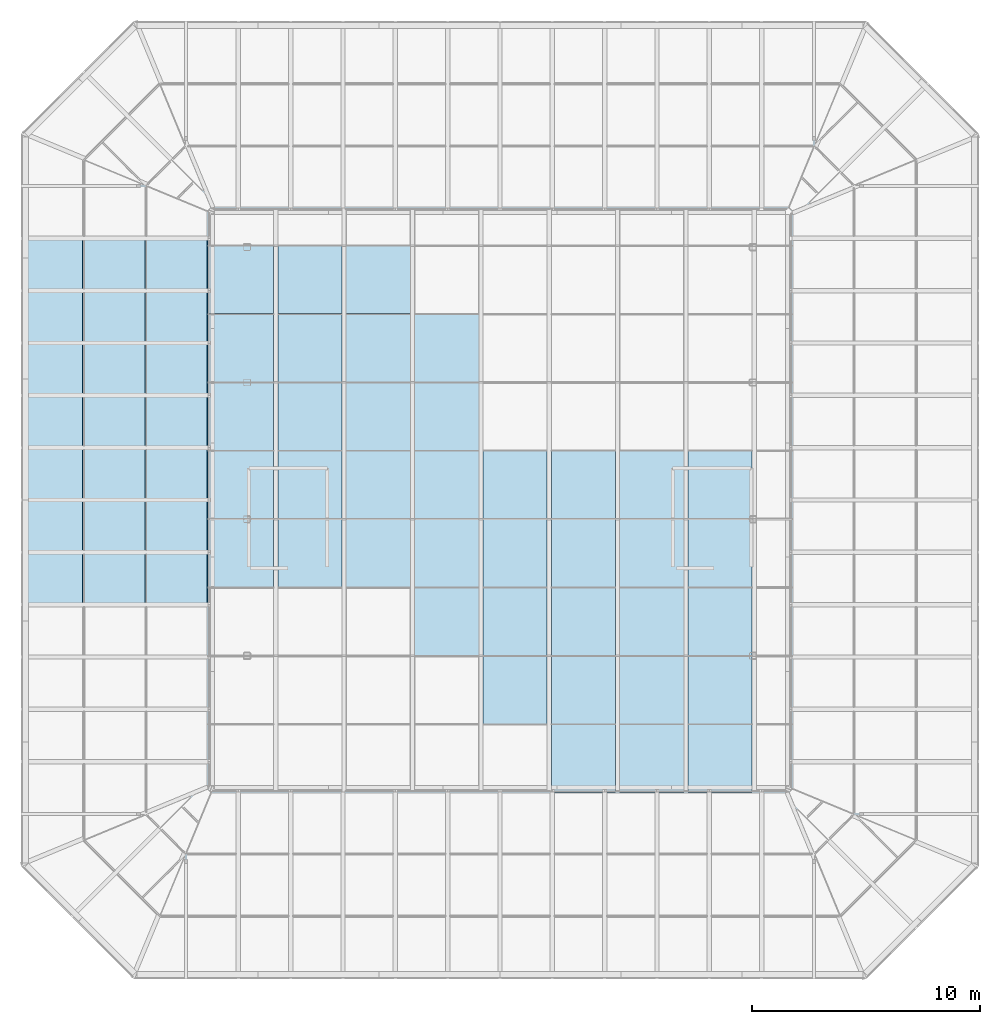
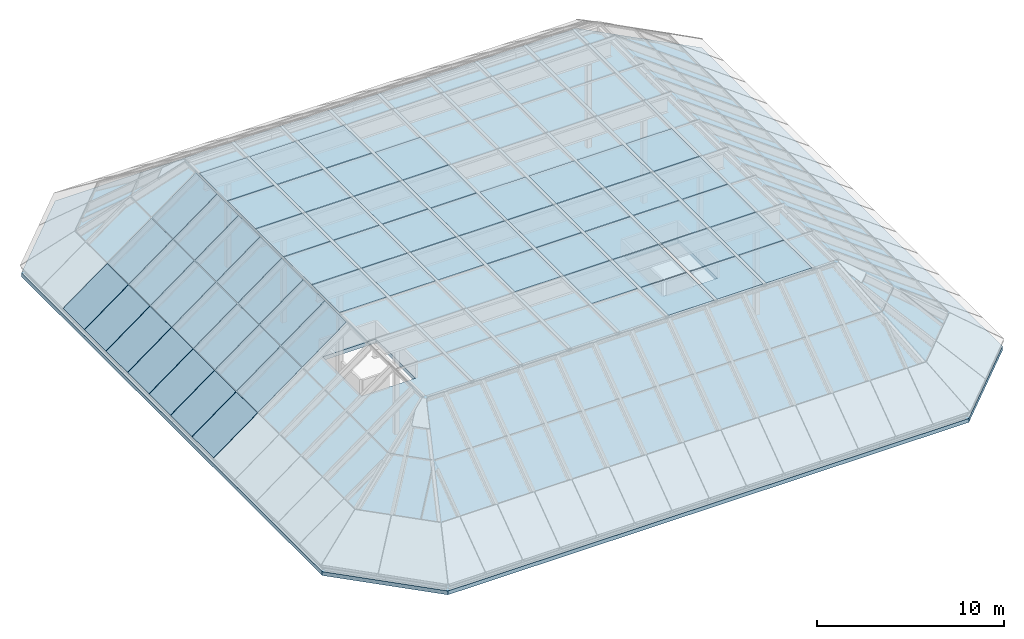
# One storey, part 12 of 15: 60 plates, 1 slab, 2 elements without a shape of their own.
"""IFC4 building model written with IfcOpenShell, lengths in metres."""

from ifc_helpers import new_model, si_unit, direction, frame, origin, place, context, subcontext, project, spatial, polyline, outline, extrude, material, layer, layer_set, constituent, constituent_set, type_object, element, aggregate, save


model = new_model("IFC4")

# Units and contexts
model_context = context("Model", 3, precision=1e-05, world=origin(), true_north=direction((0.0, 1.0)))
body_context = subcontext(model_context, "Body", "Model", "MODEL_VIEW")
ifc_project = project(units=[si_unit("LENGTHUNIT", "METRE"), si_unit("AREAUNIT", "SQUARE_METRE"), si_unit("VOLUMEUNIT", "CUBIC_METRE"), si_unit("PLANEANGLEUNIT", "RADIAN"), si_unit("MASSUNIT", "GRAM", prefix="KILO")], contexts=[model_context])

# Site, building, storey
site_placement = place(None, origin())
site = spatial("IfcSite", under=ifc_project, at=site_placement, CompositionType="ELEMENT")
building_placement = place(site_placement, origin())
building = spatial("IfcBuilding", under=site, at=building_placement, Name="Quoin Convention Tower", CompositionType="ELEMENT")
storey_placement = place(building_placement, frame((0.0, 0.0, 273.699951171875)))
storey = spatial("IfcBuildingStorey", under=building, at=storey_placement, Name="Roof", CompositionType="ELEMENT", Elevation=273.699951171875)

# Curtain wall, plates
ifc_material_1 = material(Name="Aluminium", Category="aluminium")
ifc_constituent_1 = constituent(ifc_material_1, Name="Frame")
ifc_material_2 = material(Name="Insulated glass", Category="glass")
ifc_constituent_2 = constituent(ifc_material_2, Name="Glazing")
ifc_constituent_set = constituent_set(constituents=[ifc_constituent_1, ifc_constituent_2], Name="Aluminium")
curtain_wall_type = type_object("IfcCurtainWallType", Name="Lantern roof system", PredefinedType="NOTDEFINED", material=ifc_constituent_set)
curtain_wall_1_placement = place(storey_placement, origin())
curtain_wall_1 = element("IfcCurtainWall", 1, at=curtain_wall_1_placement, inside=storey, type_object=curtain_wall_type, Name="crn-LNR-F35210_76827", PredefinedType="NOTDEFINED")
ifc_layer_1 = layer(ifc_material_2, 0.028076171875)
ifc_layer_set_1 = layer_set([ifc_layer_1], Name="Insulated glass")
plate_type = type_object("IfcPlateType", Name="Lantern roof glazing unit 28", PredefinedType="CURTAIN_PANEL", material=ifc_layer_set_1)
plate_1_placement = place(storey_placement, frame((37.93115234375, 72.21875, 2.466552734375), z_axis=(-0.590508839017, 0.0, 0.807031171048), x_axis=(0.0, -1.0, 0.0)))
plate_1 = element("IfcPlate", 2, at=plate_1_placement, type_object=plate_type, Name="CW6 glazing unit", PredefinedType="CURTAIN_PANEL", context=body_context, shape_type="SweptSolid", body=[
    extrude(outline(polyline([(0.0, 0.0), (2.266845703125, 0.0), (2.266845703125, -3.3567283051575907), (0.0, -3.3567283051575907), (0.0, 0.0)])), origin(), (0.0, 0.0, -1.0), 0.028076171875),
])
plate_2_placement = place(storey_placement, frame((37.93115234375, 69.922119140625, 2.466552734375), z_axis=(-0.590508839017, 0.0, 0.807031171048), x_axis=(0.0, -1.0, 0.0)))
plate_2 = element("IfcPlate", 3, at=plate_2_placement, type_object=plate_type, Name="CW6 glazing unit", PredefinedType="CURTAIN_PANEL", context=body_context, shape_type="SweptSolid", body=[
    extrude(outline(polyline([(0.0, 0.0), (2.266845703125, 0.0), (2.266845703125, -3.3567283051575907), (0.0, -3.3567283051575907), (0.0, 0.0)])), origin(), (0.0, 0.0, -1.0), 0.028076171875),
])
plate_3_placement = place(storey_placement, frame((37.93115234375, 67.625244140625, 2.466552734375), z_axis=(-0.590508839017, 0.0, 0.807031171048), x_axis=(0.0, -1.0, 0.0)))
plate_3 = element("IfcPlate", 4, at=plate_3_placement, type_object=plate_type, Name="CW6 glazing unit", PredefinedType="CURTAIN_PANEL", context=body_context, shape_type="SweptSolid", body=[
    extrude(outline(polyline([(0.0, 0.0), (2.266845703125, 0.0), (2.266845703125, -3.3567283051575907), (0.0, -3.3567283051575907), (0.0, 0.0)])), origin(), (0.0, 0.0, -1.0), 0.028076171875),
])
plate_4_placement = place(storey_placement, frame((37.93115234375, 65.32861328125, 2.466552734375), z_axis=(-0.590508839017, 0.0, 0.807031171048), x_axis=(0.0, -1.0, 0.0)))
plate_4 = element("IfcPlate", 5, at=plate_4_placement, type_object=plate_type, Name="CW6 glazing unit", PredefinedType="CURTAIN_PANEL", context=body_context, shape_type="SweptSolid", body=[
    extrude(outline(polyline([(0.0, 0.0), (2.266845703125, 0.0), (2.266845703125, -3.3567283051575907), (0.0, -3.3567283051575907), (0.0, 0.0)])), origin(), (0.0, 0.0, -1.0), 0.028076171875),
])
plate_5_placement = place(storey_placement, frame((37.93115234375, 63.03173828125, 2.466552734375), z_axis=(-0.590508839017, 0.0, 0.807031171048), x_axis=(0.0, -1.0, 0.0)))
plate_5 = element("IfcPlate", 6, at=plate_5_placement, type_object=plate_type, Name="CW6 glazing unit", PredefinedType="CURTAIN_PANEL", context=body_context, shape_type="SweptSolid", body=[
    extrude(outline(polyline([(0.0, 0.0), (2.266845703125, 0.0), (2.266845703125, -3.3567283051575907), (0.0, -3.3567283051575907), (0.0, 0.0)])), origin(), (0.0, 0.0, -1.0), 0.028076171875),
])
plate_6_placement = place(storey_placement, frame((37.93115234375, 60.735107421875, 2.466552734375), z_axis=(-0.590508839017, 0.0, 0.807031171048), x_axis=(0.0, -1.0, 0.0)))
plate_6 = element("IfcPlate", 7, at=plate_6_placement, type_object=plate_type, Name="CW6 glazing unit", PredefinedType="CURTAIN_PANEL", context=body_context, shape_type="SweptSolid", body=[
    extrude(outline(polyline([(0.0, 0.0), (2.266845703125, 0.0), (2.266845703125, -3.3567283051575907), (0.0, -3.3567283051575907), (0.0, 0.0)])), origin(), (0.0, 0.0, -1.0), 0.028076171875),
])
plate_7_placement = place(storey_placement, frame((37.93115234375, 58.438232421875, 2.466552734375), z_axis=(-0.590508839017, 0.0, 0.807031171048), x_axis=(0.0, -1.0, 0.0)))
plate_7 = element("IfcPlate", 8, at=plate_7_placement, type_object=plate_type, Name="CW6 glazing unit", PredefinedType="CURTAIN_PANEL", context=body_context, shape_type="SweptSolid", body=[
    extrude(outline(polyline([(0.0, 0.0), (2.266845703125, 0.0), (2.266845703125, -3.3567283051575907), (0.0, -3.3567283051575907), (0.0, 0.0)])), origin(), (0.0, 0.0, -1.0), 0.028076171875),
])
plate_8_placement = place(storey_placement, frame((37.955322265625, 72.21875, 2.484375), z_axis=(-0.590474179548, 0.0, 0.807056530416), x_axis=(0.807056530416, 0.0, 0.590474179548)))
plate_8 = element("IfcPlate", 9, at=plate_8_placement, type_object=plate_type, Name="CW6 glazing unit", PredefinedType="CURTAIN_PANEL", context=body_context, shape_type="SweptSolid", body=[
    extrude(outline(polyline([(0.0, 0.0), (3.356925337347801, 0.0), (3.356925337347801, -2.266845703125), (0.0, -2.266845703125), (0.0, 0.0)])), origin(), (0.0, 0.0, -1.0), 0.028076171875),
])
plate_9_placement = place(storey_placement, frame((37.955322265625, 69.922119140625, 2.484375), z_axis=(-0.590474179548, 0.0, 0.807056530416), x_axis=(0.807056530416, 0.0, 0.590474179548)))
plate_9 = element("IfcPlate", 10, at=plate_9_placement, type_object=plate_type, Name="CW6 glazing unit", PredefinedType="CURTAIN_PANEL", context=body_context, shape_type="SweptSolid", body=[
    extrude(outline(polyline([(0.0, 0.0), (3.356925337347801, 0.0), (3.356925337347801, -2.266845703125), (0.0, -2.266845703125), (0.0, 0.0)])), origin(), (0.0, 0.0, -1.0), 0.028076171875),
])
plate_10_placement = place(storey_placement, frame((37.955322265625, 67.625244140625, 2.484375), z_axis=(-0.590474179548, 0.0, 0.807056530416), x_axis=(0.807056530416, 0.0, 0.590474179548)))
plate_10 = element("IfcPlate", 11, at=plate_10_placement, type_object=plate_type, Name="CW6 glazing unit", PredefinedType="CURTAIN_PANEL", context=body_context, shape_type="SweptSolid", body=[
    extrude(outline(polyline([(0.0, 0.0), (3.356925337347801, 0.0), (3.356925337347801, -2.266845703125), (0.0, -2.266845703125), (0.0, 0.0)])), origin(), (0.0, 0.0, -1.0), 0.028076171875),
])
plate_11_placement = place(storey_placement, frame((37.955322265625, 65.32861328125, 2.484375), z_axis=(-0.590474179548, 0.0, 0.807056530416), x_axis=(0.807056530416, 0.0, 0.590474179548)))
plate_11 = element("IfcPlate", 12, at=plate_11_placement, type_object=plate_type, Name="CW6 glazing unit", PredefinedType="CURTAIN_PANEL", context=body_context, shape_type="SweptSolid", body=[
    extrude(outline(polyline([(0.0, 0.0), (3.356925337347801, 0.0), (3.356925337347801, -2.266845703125), (0.0, -2.266845703125), (0.0, 0.0)])), origin(), (0.0, 0.0, -1.0), 0.028076171875),
])
plate_12_placement = place(storey_placement, frame((37.955322265625, 63.03173828125, 2.484375), z_axis=(-0.590474179548, 0.0, 0.807056530416), x_axis=(0.807056530416, 0.0, 0.590474179548)))
plate_12 = element("IfcPlate", 13, at=plate_12_placement, type_object=plate_type, Name="CW6 glazing unit", PredefinedType="CURTAIN_PANEL", context=body_context, shape_type="SweptSolid", body=[
    extrude(outline(polyline([(0.0, 0.0), (3.356925337347801, 0.0), (3.356925337347801, -2.266845703125), (0.0, -2.266845703125), (0.0, 0.0)])), origin(), (0.0, 0.0, -1.0), 0.028076171875),
])
plate_13_placement = place(storey_placement, frame((37.955322265625, 60.735107421875, 2.484375), z_axis=(-0.590474179548, 0.0, 0.807056530416), x_axis=(0.807056530416, 0.0, 0.590474179548)))
plate_13 = element("IfcPlate", 14, at=plate_13_placement, type_object=plate_type, Name="CW6 glazing unit", PredefinedType="CURTAIN_PANEL", context=body_context, shape_type="SweptSolid", body=[
    extrude(outline(polyline([(0.0, 0.0), (3.356925337347801, 0.0), (3.356925337347801, -2.266845703125), (0.0, -2.266845703125), (0.0, 0.0)])), origin(), (0.0, 0.0, -1.0), 0.028076171875),
])
plate_14_placement = place(storey_placement, frame((37.955322265625, 58.438232421875, 2.484375), z_axis=(-0.590474179548, 0.0, 0.807056530416), x_axis=(0.807056530416, 0.0, 0.590474179548)))
plate_14 = element("IfcPlate", 15, at=plate_14_placement, type_object=plate_type, Name="CW6 glazing unit", PredefinedType="CURTAIN_PANEL", context=body_context, shape_type="SweptSolid", body=[
    extrude(outline(polyline([(0.0, 0.0), (3.356925337347801, 0.0), (3.356925337347801, -2.266845703125), (0.0, -2.266845703125), (0.0, 0.0)])), origin(), (0.0, 0.0, -1.0), 0.028076171875),
])
plate_15_placement = place(storey_placement, frame((40.688720703125, 69.951904296875, 4.484375), z_axis=(-0.590474179548, 0.0, 0.807056530416), x_axis=(0.0, 1.0, 0.0)))
plate_15 = element("IfcPlate", 16, at=plate_15_placement, type_object=plate_type, Name="CW6 glazing unit", PredefinedType="CURTAIN_PANEL", context=body_context, shape_type="SweptSolid", body=[
    extrude(outline(polyline([(0.0, 0.0), (2.266845703125, 0.0), (2.266845703125, -3.356925337347801), (0.0, -3.356925337347801), (0.0, 0.0)])), origin(), (0.0, 0.0, -1.0), 0.028076171875),
])
plate_16_placement = place(storey_placement, frame((40.688720703125, 67.6552734375, 4.484375), z_axis=(-0.590474179548, 0.0, 0.807056530416), x_axis=(0.0, 1.0, 0.0)))
plate_16 = element("IfcPlate", 17, at=plate_16_placement, type_object=plate_type, Name="CW6 glazing unit", PredefinedType="CURTAIN_PANEL", context=body_context, shape_type="SweptSolid", body=[
    extrude(outline(polyline([(0.0, 0.0), (2.266845703125, 0.0), (2.266845703125, -3.356925337347801), (0.0, -3.356925337347801), (0.0, 0.0)])), origin(), (0.0, 0.0, -1.0), 0.028076171875),
])
plate_17_placement = place(storey_placement, frame((40.688720703125, 65.3583984375, 4.484375), z_axis=(-0.590474179548, 0.0, 0.807056530416), x_axis=(0.0, 1.0, 0.0)))
plate_17 = element("IfcPlate", 18, at=plate_17_placement, type_object=plate_type, Name="CW6 glazing unit", PredefinedType="CURTAIN_PANEL", context=body_context, shape_type="SweptSolid", body=[
    extrude(outline(polyline([(0.0, 0.0), (2.266845703125, 0.0), (2.266845703125, -3.356925337347801), (0.0, -3.356925337347801), (0.0, 0.0)])), origin(), (0.0, 0.0, -1.0), 0.028076171875),
])
plate_18_placement = place(storey_placement, frame((40.688720703125, 63.061767578125, 4.484375), z_axis=(-0.590474179548, 0.0, 0.807056530416), x_axis=(0.0, 1.0, 0.0)))
plate_18 = element("IfcPlate", 19, at=plate_18_placement, type_object=plate_type, Name="CW6 glazing unit", PredefinedType="CURTAIN_PANEL", context=body_context, shape_type="SweptSolid", body=[
    extrude(outline(polyline([(0.0, 0.0), (2.266845703125, 0.0), (2.266845703125, -3.356925337347801), (0.0, -3.356925337347801), (0.0, 0.0)])), origin(), (0.0, 0.0, -1.0), 0.028076171875),
])
plate_19_placement = place(storey_placement, frame((40.688720703125, 60.764892578125, 4.484375), z_axis=(-0.590474179548, 0.0, 0.807056530416), x_axis=(0.0, 1.0, 0.0)))
plate_19 = element("IfcPlate", 20, at=plate_19_placement, type_object=plate_type, Name="CW6 glazing unit", PredefinedType="CURTAIN_PANEL", context=body_context, shape_type="SweptSolid", body=[
    extrude(outline(polyline([(0.0, 0.0), (2.266845703125, 0.0), (2.266845703125, -3.356925337347801), (0.0, -3.356925337347801), (0.0, 0.0)])), origin(), (0.0, 0.0, -1.0), 0.028076171875),
])
plate_20_placement = place(storey_placement, frame((40.688720703125, 58.46826171875, 4.484375), z_axis=(-0.590474179548, 0.0, 0.807056530416), x_axis=(0.0, 1.0, 0.0)))
plate_20 = element("IfcPlate", 21, at=plate_20_placement, type_object=plate_type, Name="CW6 glazing unit", PredefinedType="CURTAIN_PANEL", context=body_context, shape_type="SweptSolid", body=[
    extrude(outline(polyline([(0.0, 0.0), (2.266845703125, 0.0), (2.266845703125, -3.356925337347801), (0.0, -3.356925337347801), (0.0, 0.0)])), origin(), (0.0, 0.0, -1.0), 0.028076171875),
])
plate_21_placement = place(storey_placement, frame((40.688720703125, 56.17138671875, 4.484375), z_axis=(-0.590474179548, 0.0, 0.807056530416), x_axis=(0.0, 1.0, 0.0)))
plate_21 = element("IfcPlate", 22, at=plate_21_placement, type_object=plate_type, Name="CW6 glazing unit", PredefinedType="CURTAIN_PANEL", context=body_context, shape_type="SweptSolid", body=[
    extrude(outline(polyline([(0.0, 0.0), (2.266845703125, 0.0), (2.266845703125, -3.356925337347801), (0.0, -3.356925337347801), (0.0, 0.0)])), origin(), (0.0, 0.0, -1.0), 0.028076171875),
])
aggregate(curtain_wall_1, [plate_1, plate_2, plate_3, plate_4, plate_5, plate_6, plate_7, plate_8, plate_9, plate_10, plate_11, plate_12, plate_13, plate_14, plate_15, plate_16, plate_17, plate_18, plate_19, plate_20, plate_21])

curtain_wall_2_placement = place(storey_placement, origin())
curtain_wall_2 = element("IfcCurtainWall", 23, at=curtain_wall_2_placement, inside=storey, type_object=curtain_wall_type, Name="crn-LNR-CAP", PredefinedType="NOTDEFINED")
plate_22_placement = place(storey_placement, frame((46.320068359375, 59.889892578125, 6.62353515625), z_axis=(0.0, 0.0, 1.0), x_axis=(0.0, -1.0, 0.0)))
plate_22 = element("IfcPlate", 24, at=plate_22_placement, type_object=plate_type, Name="CW6 glazing unit", PredefinedType="CURTAIN_PANEL", context=body_context, shape_type="SweptSolid", body=[
    extrude(outline(polyline([(0.0, 0.0), (2.9599609375, 0.0), (2.9599609375, -2.89013671875), (0.0, -2.89013671875), (0.0, 0.0)])), origin(), (0.0, 0.0, -1.0), 0.028076171875),
])
plate_23_placement = place(storey_placement, frame((46.320068359375, 62.889892578125, 6.62353515625), z_axis=(0.0, 0.0, 1.0), x_axis=(0.0, -1.0, 0.0)))
plate_23 = element("IfcPlate", 25, at=plate_23_placement, type_object=plate_type, Name="CW6 glazing unit", PredefinedType="CURTAIN_PANEL", context=body_context, shape_type="SweptSolid", body=[
    extrude(outline(polyline([(0.0, 0.0), (2.9599609375, 0.0), (2.9599609375, -2.89013671875), (0.0, -2.89013671875), (0.0, 0.0)])), origin(), (0.0, 0.0, -1.0), 0.028076171875),
])
plate_24_placement = place(storey_placement, frame((46.320068359375, 65.889892578125, 6.62353515625), z_axis=(0.0, 0.0, 1.0), x_axis=(0.0, -1.0, 0.0)))
plate_24 = element("IfcPlate", 26, at=plate_24_placement, type_object=plate_type, Name="CW6 glazing unit", PredefinedType="CURTAIN_PANEL", context=body_context, shape_type="SweptSolid", body=[
    extrude(outline(polyline([(0.0, 0.0), (2.9599609375, 0.0), (2.9599609375, -2.89013671875), (0.0, -2.89013671875), (0.0, 0.0)])), origin(), (0.0, 0.0, -1.0), 0.028076171875),
])
plate_25_placement = place(storey_placement, frame((46.320068359375, 68.889892578125, 6.62353515625), z_axis=(0.0, 0.0, 1.0), x_axis=(0.0, -1.0, 0.0)))
plate_25 = element("IfcPlate", 27, at=plate_25_placement, type_object=plate_type, Name="CW6 glazing unit", PredefinedType="CURTAIN_PANEL", context=body_context, shape_type="SweptSolid", body=[
    extrude(outline(polyline([(0.0, 0.0), (2.9599609375, 0.0), (2.9599609375, -2.89013671875), (0.0, -2.89013671875), (0.0, 0.0)])), origin(), (0.0, 0.0, -1.0), 0.028076171875),
])
plate_26_placement = place(storey_placement, frame((46.320068359375, 71.889892578125, 6.62353515625), z_axis=(0.0, 0.0, 1.0), x_axis=(0.0, -1.0, 0.0)))
plate_26 = element("IfcPlate", 28, at=plate_26_placement, type_object=plate_type, Name="CW6 glazing unit", PredefinedType="CURTAIN_PANEL", context=body_context, shape_type="SweptSolid", body=[
    extrude(outline(polyline([(0.0, 0.0), (2.9599609375, 0.0), (2.9599609375, -2.89013671875), (0.0, -2.89013671875), (0.0, 0.0)])), origin(), (0.0, 0.0, -1.0), 0.028076171875),
])
plate_27_placement = place(storey_placement, frame((46.5, 56.929931640625, 6.62353515625), z_axis=(0.0, 0.0, 1.0), x_axis=(0.0, 1.0, 0.0)))
plate_27 = element("IfcPlate", 29, at=plate_27_placement, type_object=plate_type, Name="CW6 glazing unit", PredefinedType="CURTAIN_PANEL", context=body_context, shape_type="SweptSolid", body=[
    extrude(outline(polyline([(0.0, 0.0), (2.9599609375, 0.0), (2.9599609375, -2.820068359375), (0.0, -2.820068359375), (0.0, 0.0)])), origin(), (0.0, 0.0, -1.0), 0.028076171875),
])
plate_28_placement = place(storey_placement, frame((46.5, 59.929931640625, 6.62353515625), z_axis=(0.0, 0.0, 1.0), x_axis=(0.0, 1.0, 0.0)))
plate_28 = element("IfcPlate", 30, at=plate_28_placement, type_object=plate_type, Name="CW6 glazing unit", PredefinedType="CURTAIN_PANEL", context=body_context, shape_type="SweptSolid", body=[
    extrude(outline(polyline([(0.0, 0.0), (2.9599609375, 0.0), (2.9599609375, -2.820068359375), (0.0, -2.820068359375), (0.0, 0.0)])), origin(), (0.0, 0.0, -1.0), 0.028076171875),
])
plate_29_placement = place(storey_placement, frame((46.5, 62.929931640625, 6.62353515625), z_axis=(0.0, 0.0, 1.0), x_axis=(0.0, 1.0, 0.0)))
plate_29 = element("IfcPlate", 31, at=plate_29_placement, type_object=plate_type, Name="CW6 glazing unit", PredefinedType="CURTAIN_PANEL", context=body_context, shape_type="SweptSolid", body=[
    extrude(outline(polyline([(0.0, 0.0), (2.9599609375, 0.0), (2.9599609375, -2.820068359375), (0.0, -2.820068359375), (0.0, 0.0)])), origin(), (0.0, 0.0, -1.0), 0.028076171875),
])
plate_30_placement = place(storey_placement, frame((46.5, 65.929931640625, 6.62353515625), z_axis=(0.0, 0.0, 1.0), x_axis=(0.0, 1.0, 0.0)))
plate_30 = element("IfcPlate", 32, at=plate_30_placement, type_object=plate_type, Name="CW6 glazing unit", PredefinedType="CURTAIN_PANEL", context=body_context, shape_type="SweptSolid", body=[
    extrude(outline(polyline([(0.0, 0.0), (2.9599609375, 0.0), (2.9599609375, -2.820068359375), (0.0, -2.820068359375), (0.0, 0.0)])), origin(), (0.0, 0.0, -1.0), 0.028076171875),
])
plate_31_placement = place(storey_placement, frame((46.5, 68.929931640625, 6.62353515625), z_axis=(0.0, 0.0, 1.0), x_axis=(0.0, 1.0, 0.0)))
plate_31 = element("IfcPlate", 33, at=plate_31_placement, type_object=plate_type, Name="CW6 glazing unit", PredefinedType="CURTAIN_PANEL", context=body_context, shape_type="SweptSolid", body=[
    extrude(outline(polyline([(0.0, 0.0), (2.9599609375, 0.0), (2.9599609375, -2.820068359375), (0.0, -2.820068359375), (0.0, 0.0)])), origin(), (0.0, 0.0, -1.0), 0.028076171875),
])
plate_32_placement = place(storey_placement, frame((49.5, 56.929931640625, 6.62353515625), z_axis=(0.0, 0.0, 1.0), x_axis=(0.0, 1.0, 0.0)))
plate_32 = element("IfcPlate", 34, at=plate_32_placement, type_object=plate_type, Name="CW6 glazing unit", PredefinedType="CURTAIN_PANEL", context=body_context, shape_type="SweptSolid", body=[
    extrude(outline(polyline([(0.0, 0.0), (2.9599609375, 0.0), (2.9599609375, -2.820068359375), (0.0, -2.820068359375), (0.0, 0.0)])), origin(), (0.0, 0.0, -1.0), 0.028076171875),
])
plate_33_placement = place(storey_placement, frame((49.5, 59.929931640625, 6.62353515625), z_axis=(0.0, 0.0, 1.0), x_axis=(0.0, 1.0, 0.0)))
plate_33 = element("IfcPlate", 35, at=plate_33_placement, type_object=plate_type, Name="CW6 glazing unit", PredefinedType="CURTAIN_PANEL", context=body_context, shape_type="SweptSolid", body=[
    extrude(outline(polyline([(0.0, 0.0), (2.9599609375, 0.0), (2.9599609375, -2.820068359375), (0.0, -2.820068359375), (0.0, 0.0)])), origin(), (0.0, 0.0, -1.0), 0.028076171875),
])
plate_34_placement = place(storey_placement, frame((49.5, 62.929931640625, 6.62353515625), z_axis=(0.0, 0.0, 1.0), x_axis=(0.0, 1.0, 0.0)))
plate_34 = element("IfcPlate", 36, at=plate_34_placement, type_object=plate_type, Name="CW6 glazing unit", PredefinedType="CURTAIN_PANEL", context=body_context, shape_type="SweptSolid", body=[
    extrude(outline(polyline([(0.0, 0.0), (2.9599609375, 0.0), (2.9599609375, -2.820068359375), (0.0, -2.820068359375), (0.0, 0.0)])), origin(), (0.0, 0.0, -1.0), 0.028076171875),
])
plate_35_placement = place(storey_placement, frame((49.5, 65.929931640625, 6.62353515625), z_axis=(0.0, 0.0, 1.0), x_axis=(0.0, 1.0, 0.0)))
plate_35 = element("IfcPlate", 37, at=plate_35_placement, type_object=plate_type, Name="CW6 glazing unit", PredefinedType="CURTAIN_PANEL", context=body_context, shape_type="SweptSolid", body=[
    extrude(outline(polyline([(0.0, 0.0), (2.9599609375, 0.0), (2.9599609375, -2.820068359375), (0.0, -2.820068359375), (0.0, 0.0)])), origin(), (0.0, 0.0, -1.0), 0.028076171875),
])
plate_36_placement = place(storey_placement, frame((49.5, 68.929931640625, 6.62353515625), z_axis=(0.0, 0.0, 1.0), x_axis=(0.0, 1.0, 0.0)))
plate_36 = element("IfcPlate", 38, at=plate_36_placement, type_object=plate_type, Name="CW6 glazing unit", PredefinedType="CURTAIN_PANEL", context=body_context, shape_type="SweptSolid", body=[
    extrude(outline(polyline([(0.0, 0.0), (2.9599609375, 0.0), (2.9599609375, -2.820068359375), (0.0, -2.820068359375), (0.0, 0.0)])), origin(), (0.0, 0.0, -1.0), 0.028076171875),
])
plate_37_placement = place(storey_placement, frame((52.5, 53.929931640625, 6.62353515625), z_axis=(0.0, 0.0, 1.0), x_axis=(0.0, 1.0, 0.0)))
plate_37 = element("IfcPlate", 39, at=plate_37_placement, type_object=plate_type, Name="CW6 glazing unit", PredefinedType="CURTAIN_PANEL", context=body_context, shape_type="SweptSolid", body=[
    extrude(outline(polyline([(0.0, 0.0), (2.9599609375, 0.0), (2.9599609375, -2.820068359375), (0.0, -2.820068359375), (0.0, 0.0)])), origin(), (0.0, 0.0, -1.0), 0.028076171875),
])
plate_38_placement = place(storey_placement, frame((52.5, 56.929931640625, 6.62353515625), z_axis=(0.0, 0.0, 1.0), x_axis=(0.0, 1.0, 0.0)))
plate_38 = element("IfcPlate", 40, at=plate_38_placement, type_object=plate_type, Name="CW6 glazing unit", PredefinedType="CURTAIN_PANEL", context=body_context, shape_type="SweptSolid", body=[
    extrude(outline(polyline([(0.0, 0.0), (2.9599609375, 0.0), (2.9599609375, -2.820068359375), (0.0, -2.820068359375), (0.0, 0.0)])), origin(), (0.0, 0.0, -1.0), 0.028076171875),
])
plate_39_placement = place(storey_placement, frame((52.5, 59.929931640625, 6.62353515625), z_axis=(0.0, 0.0, 1.0), x_axis=(0.0, 1.0, 0.0)))
plate_39 = element("IfcPlate", 41, at=plate_39_placement, type_object=plate_type, Name="CW6 glazing unit", PredefinedType="CURTAIN_PANEL", context=body_context, shape_type="SweptSolid", body=[
    extrude(outline(polyline([(0.0, 0.0), (2.9599609375, 0.0), (2.9599609375, -2.820068359375), (0.0, -2.820068359375), (0.0, 0.0)])), origin(), (0.0, 0.0, -1.0), 0.028076171875),
])
plate_40_placement = place(storey_placement, frame((52.5, 62.929931640625, 6.62353515625), z_axis=(0.0, 0.0, 1.0), x_axis=(0.0, 1.0, 0.0)))
plate_40 = element("IfcPlate", 42, at=plate_40_placement, type_object=plate_type, Name="CW6 glazing unit", PredefinedType="CURTAIN_PANEL", context=body_context, shape_type="SweptSolid", body=[
    extrude(outline(polyline([(0.0, 0.0), (2.9599609375, 0.0), (2.9599609375, -2.820068359375), (0.0, -2.820068359375), (0.0, 0.0)])), origin(), (0.0, 0.0, -1.0), 0.028076171875),
])
plate_41_placement = place(storey_placement, frame((52.5, 65.929931640625, 6.62353515625), z_axis=(0.0, 0.0, 1.0), x_axis=(0.0, 1.0, 0.0)))
plate_41 = element("IfcPlate", 43, at=plate_41_placement, type_object=plate_type, Name="CW6 glazing unit", PredefinedType="CURTAIN_PANEL", context=body_context, shape_type="SweptSolid", body=[
    extrude(outline(polyline([(0.0, 0.0), (2.9599609375, 0.0), (2.9599609375, -2.820068359375), (0.0, -2.820068359375), (0.0, 0.0)])), origin(), (0.0, 0.0, -1.0), 0.028076171875),
])
plate_42_placement = place(storey_placement, frame((55.5, 50.929931640625, 6.62353515625), z_axis=(0.0, 0.0, 1.0), x_axis=(0.0, 1.0, 0.0)))
plate_42 = element("IfcPlate", 44, at=plate_42_placement, type_object=plate_type, Name="CW6 glazing unit", PredefinedType="CURTAIN_PANEL", context=body_context, shape_type="SweptSolid", body=[
    extrude(outline(polyline([(0.0, 0.0), (2.9599609375, 0.0), (2.9599609375, -2.820068359375), (0.0, -2.820068359375), (0.0, 0.0)])), origin(), (0.0, 0.0, -1.0), 0.028076171875),
])
plate_43_placement = place(storey_placement, frame((55.5, 53.929931640625, 6.62353515625), z_axis=(0.0, 0.0, 1.0), x_axis=(0.0, 1.0, 0.0)))
plate_43 = element("IfcPlate", 45, at=plate_43_placement, type_object=plate_type, Name="CW6 glazing unit", PredefinedType="CURTAIN_PANEL", context=body_context, shape_type="SweptSolid", body=[
    extrude(outline(polyline([(0.0, 0.0), (2.9599609375, 0.0), (2.9599609375, -2.820068359375), (0.0, -2.820068359375), (0.0, 0.0)])), origin(), (0.0, 0.0, -1.0), 0.028076171875),
])
plate_44_placement = place(storey_placement, frame((55.5, 56.929931640625, 6.62353515625), z_axis=(0.0, 0.0, 1.0), x_axis=(0.0, 1.0, 0.0)))
plate_44 = element("IfcPlate", 46, at=plate_44_placement, type_object=plate_type, Name="CW6 glazing unit", PredefinedType="CURTAIN_PANEL", context=body_context, shape_type="SweptSolid", body=[
    extrude(outline(polyline([(0.0, 0.0), (2.9599609375, 0.0), (2.9599609375, -2.820068359375), (0.0, -2.820068359375), (0.0, 0.0)])), origin(), (0.0, 0.0, -1.0), 0.028076171875),
])
plate_45_placement = place(storey_placement, frame((55.5, 59.929931640625, 6.62353515625), z_axis=(0.0, 0.0, 1.0), x_axis=(0.0, 1.0, 0.0)))
plate_45 = element("IfcPlate", 47, at=plate_45_placement, type_object=plate_type, Name="CW6 glazing unit", PredefinedType="CURTAIN_PANEL", context=body_context, shape_type="SweptSolid", body=[
    extrude(outline(polyline([(0.0, 0.0), (2.9599609375, 0.0), (2.9599609375, -2.820068359375), (0.0, -2.820068359375), (0.0, 0.0)])), origin(), (0.0, 0.0, -1.0), 0.028076171875),
])
plate_46_placement = place(storey_placement, frame((58.5, 50.889892578125, 6.62353515625), z_axis=(0.0, 0.0, 1.0), x_axis=(1.0, 0.0, 0.0)))
plate_46 = element("IfcPlate", 48, at=plate_46_placement, type_object=plate_type, Name="CW6 glazing unit", PredefinedType="CURTAIN_PANEL", context=body_context, shape_type="SweptSolid", body=[
    extrude(outline(polyline([(0.0, 0.0), (2.820068359375, 0.0), (2.820068359375, -2.9599609375), (0.0, -2.9599609375), (0.0, 0.0)])), origin(), (0.0, 0.0, -1.0), 0.028076171875),
])
plate_47_placement = place(storey_placement, frame((58.5, 50.929931640625, 6.62353515625), z_axis=(0.0, 0.0, 1.0), x_axis=(0.0, 1.0, 0.0)))
plate_47 = element("IfcPlate", 49, at=plate_47_placement, type_object=plate_type, Name="CW6 glazing unit", PredefinedType="CURTAIN_PANEL", context=body_context, shape_type="SweptSolid", body=[
    extrude(outline(polyline([(0.0, 0.0), (2.9599609375, 0.0), (2.9599609375, -2.820068359375), (0.0, -2.820068359375), (0.0, 0.0)])), origin(), (0.0, 0.0, -1.0), 0.028076171875),
])
plate_48_placement = place(storey_placement, frame((58.5, 53.929931640625, 6.62353515625), z_axis=(0.0, 0.0, 1.0), x_axis=(0.0, 1.0, 0.0)))
plate_48 = element("IfcPlate", 50, at=plate_48_placement, type_object=plate_type, Name="CW6 glazing unit", PredefinedType="CURTAIN_PANEL", context=body_context, shape_type="SweptSolid", body=[
    extrude(outline(polyline([(0.0, 0.0), (2.9599609375, 0.0), (2.9599609375, -2.820068359375), (0.0, -2.820068359375), (0.0, 0.0)])), origin(), (0.0, 0.0, -1.0), 0.028076171875),
])
plate_49_placement = place(storey_placement, frame((58.5, 56.929931640625, 6.62353515625), z_axis=(0.0, 0.0, 1.0), x_axis=(0.0, 1.0, 0.0)))
plate_49 = element("IfcPlate", 51, at=plate_49_placement, type_object=plate_type, Name="CW6 glazing unit", PredefinedType="CURTAIN_PANEL", context=body_context, shape_type="SweptSolid", body=[
    extrude(outline(polyline([(0.0, 0.0), (2.9599609375, 0.0), (2.9599609375, -2.820068359375), (0.0, -2.820068359375), (0.0, 0.0)])), origin(), (0.0, 0.0, -1.0), 0.028076171875),
])
plate_50_placement = place(storey_placement, frame((58.5, 59.929931640625, 6.62353515625), z_axis=(0.0, 0.0, 1.0), x_axis=(0.0, 1.0, 0.0)))
plate_50 = element("IfcPlate", 52, at=plate_50_placement, type_object=plate_type, Name="CW6 glazing unit", PredefinedType="CURTAIN_PANEL", context=body_context, shape_type="SweptSolid", body=[
    extrude(outline(polyline([(0.0, 0.0), (2.9599609375, 0.0), (2.9599609375, -2.820068359375), (0.0, -2.820068359375), (0.0, 0.0)])), origin(), (0.0, 0.0, -1.0), 0.028076171875),
])
plate_51_placement = place(storey_placement, frame((61.5, 50.889892578125, 6.62353515625), z_axis=(0.0, 0.0, 1.0), x_axis=(1.0, 0.0, 0.0)))
plate_51 = element("IfcPlate", 53, at=plate_51_placement, type_object=plate_type, Name="CW6 glazing unit", PredefinedType="CURTAIN_PANEL", context=body_context, shape_type="SweptSolid", body=[
    extrude(outline(polyline([(0.0, 0.0), (2.820068359375, 0.0), (2.820068359375, -2.9599609375), (0.0, -2.9599609375), (0.0, 0.0)])), origin(), (0.0, 0.0, -1.0), 0.028076171875),
])
plate_52_placement = place(storey_placement, frame((61.5, 50.929931640625, 6.62353515625), z_axis=(0.0, 0.0, 1.0), x_axis=(0.0, 1.0, 0.0)))
plate_52 = element("IfcPlate", 54, at=plate_52_placement, type_object=plate_type, Name="CW6 glazing unit", PredefinedType="CURTAIN_PANEL", context=body_context, shape_type="SweptSolid", body=[
    extrude(outline(polyline([(0.0, 0.0), (2.9599609375, 0.0), (2.9599609375, -2.820068359375), (0.0, -2.820068359375), (0.0, 0.0)])), origin(), (0.0, 0.0, -1.0), 0.028076171875),
])
plate_53_placement = place(storey_placement, frame((61.5, 53.929931640625, 6.62353515625), z_axis=(0.0, 0.0, 1.0), x_axis=(0.0, 1.0, 0.0)))
plate_53 = element("IfcPlate", 55, at=plate_53_placement, type_object=plate_type, Name="CW6 glazing unit", PredefinedType="CURTAIN_PANEL", context=body_context, shape_type="SweptSolid", body=[
    extrude(outline(polyline([(0.0, 0.0), (2.9599609375, 0.0), (2.9599609375, -2.820068359375), (0.0, -2.820068359375), (0.0, 0.0)])), origin(), (0.0, 0.0, -1.0), 0.028076171875),
])
plate_54_placement = place(storey_placement, frame((61.5, 56.929931640625, 6.62353515625), z_axis=(0.0, 0.0, 1.0), x_axis=(0.0, 1.0, 0.0)))
plate_54 = element("IfcPlate", 56, at=plate_54_placement, type_object=plate_type, Name="CW6 glazing unit", PredefinedType="CURTAIN_PANEL", context=body_context, shape_type="SweptSolid", body=[
    extrude(outline(polyline([(0.0, 0.0), (2.9599609375, 0.0), (2.9599609375, -2.820068359375), (0.0, -2.820068359375), (0.0, 0.0)])), origin(), (0.0, 0.0, -1.0), 0.028076171875),
])
plate_55_placement = place(storey_placement, frame((61.5, 59.929931640625, 6.62353515625), z_axis=(0.0, 0.0, 1.0), x_axis=(0.0, 1.0, 0.0)))
plate_55 = element("IfcPlate", 57, at=plate_55_placement, type_object=plate_type, Name="CW6 glazing unit", PredefinedType="CURTAIN_PANEL", context=body_context, shape_type="SweptSolid", body=[
    extrude(outline(polyline([(0.0, 0.0), (2.9599609375, 0.0), (2.9599609375, -2.820068359375), (0.0, -2.820068359375), (0.0, 0.0)])), origin(), (0.0, 0.0, -1.0), 0.028076171875),
])
plate_56_placement = place(storey_placement, frame((64.5, 50.889892578125, 6.62353515625), z_axis=(0.0, 0.0, 1.0), x_axis=(1.0, 0.0, 0.0)))
plate_56 = element("IfcPlate", 58, at=plate_56_placement, type_object=plate_type, Name="CW6 glazing unit", PredefinedType="CURTAIN_PANEL", context=body_context, shape_type="SweptSolid", body=[
    extrude(outline(polyline([(0.0, 0.0), (2.820068359375, 0.0), (2.820068359375, -2.9599609375), (0.0, -2.9599609375), (0.0, 0.0)])), origin(), (0.0, 0.0, -1.0), 0.028076171875),
])
plate_57_placement = place(storey_placement, frame((64.5, 50.929931640625, 6.62353515625), z_axis=(0.0, 0.0, 1.0), x_axis=(0.0, 1.0, 0.0)))
plate_57 = element("IfcPlate", 59, at=plate_57_placement, type_object=plate_type, Name="CW6 glazing unit", PredefinedType="CURTAIN_PANEL", context=body_context, shape_type="SweptSolid", body=[
    extrude(outline(polyline([(0.0, 0.0), (2.9599609375, 0.0), (2.9599609375, -2.820068359375), (0.0, -2.820068359375), (0.0, 0.0)])), origin(), (0.0, 0.0, -1.0), 0.028076171875),
])
plate_58_placement = place(storey_placement, frame((64.5, 53.929931640625, 6.62353515625), z_axis=(0.0, 0.0, 1.0), x_axis=(0.0, 1.0, 0.0)))
plate_58 = element("IfcPlate", 60, at=plate_58_placement, type_object=plate_type, Name="CW6 glazing unit", PredefinedType="CURTAIN_PANEL", context=body_context, shape_type="SweptSolid", body=[
    extrude(outline(polyline([(0.0, 0.0), (2.9599609375, 0.0), (2.9599609375, -2.820068359375), (0.0, -2.820068359375), (0.0, 0.0)])), origin(), (0.0, 0.0, -1.0), 0.028076171875),
])
plate_59_placement = place(storey_placement, frame((64.5, 56.929931640625, 6.62353515625), z_axis=(0.0, 0.0, 1.0), x_axis=(0.0, 1.0, 0.0)))
plate_59 = element("IfcPlate", 61, at=plate_59_placement, type_object=plate_type, Name="CW6 glazing unit", PredefinedType="CURTAIN_PANEL", context=body_context, shape_type="SweptSolid", body=[
    extrude(outline(polyline([(0.0, 0.0), (2.9599609375, 0.0), (2.9599609375, -2.820068359375), (0.0, -2.820068359375), (0.0, 0.0)])), origin(), (0.0, 0.0, -1.0), 0.028076171875),
])
plate_60_placement = place(storey_placement, frame((64.5, 59.929931640625, 6.62353515625), z_axis=(0.0, 0.0, 1.0), x_axis=(0.0, 1.0, 0.0)))
plate_60 = element("IfcPlate", 62, at=plate_60_placement, type_object=plate_type, Name="CW6 glazing unit", PredefinedType="CURTAIN_PANEL", context=body_context, shape_type="SweptSolid", body=[
    extrude(outline(polyline([(0.0, 0.0), (2.9599609375, 0.0), (2.9599609375, -2.820068359375), (0.0, -2.820068359375), (0.0, 0.0)])), origin(), (0.0, 0.0, -1.0), 0.028076171875),
])
aggregate(curtain_wall_2, [plate_22, plate_23, plate_24, plate_25, plate_26, plate_27, plate_28, plate_29, plate_30, plate_31, plate_32, plate_33, plate_34, plate_35, plate_36, plate_37, plate_38, plate_39, plate_40, plate_41, plate_42, plate_43, plate_44, plate_45, plate_46, plate_47, plate_48, plate_49, plate_50, plate_51, plate_52, plate_53, plate_54, plate_55, plate_56, plate_57, plate_58, plate_59, plate_60])

# Slab
ifc_material_3 = material(Name="Concrete C40", Category="concrete")
ifc_layer_2 = layer(ifc_material_3, 0.25)
ifc_layer_set_2 = layer_set([ifc_layer_2], Name="Concrete C40")
slab_type = type_object("IfcSlabType", Name="RC ROOF SLAB 250 C40", PredefinedType="ROOF", material=ifc_layer_set_2)
slab_placement = place(storey_placement, frame((0.0, 0.0, -0.25)))
element("IfcSlab", 63, at=slab_placement, inside=storey, type_object=slab_type, Name="slb-L70-rf", PredefinedType="ROOF", context=body_context, shape_type="SweptSolid", body=[
    extrude(outline(polyline([(40.210205078125, 39.800048828125), (35.300048828125, 44.710205078125), (35.300048828125, 76.789794921875), (40.210205078125, 81.699951171875), (72.289794921875, 81.699951171875), (77.199951171875, 76.789794921875), (77.199951171875, 44.710205078125), (72.289794921875, 39.800048828125), (40.210205078125, 39.800048828125)]), holes=[polyline([(48.60009765625, 57.800537109375), (48.60009765625, 62.0), (45.300048828125, 62.0), (45.300048828125, 57.800537109375), (48.60009765625, 57.800537109375)]), polyline([(67.199951171875, 57.800537109375), (67.199951171875, 62.0), (63.89990234375, 62.0), (63.89990234375, 57.800537109375), (67.199951171875, 57.800537109375)])]), origin(), (0.0, 0.0, 1.0), 0.25),
])

save(model, "model.ifc")
